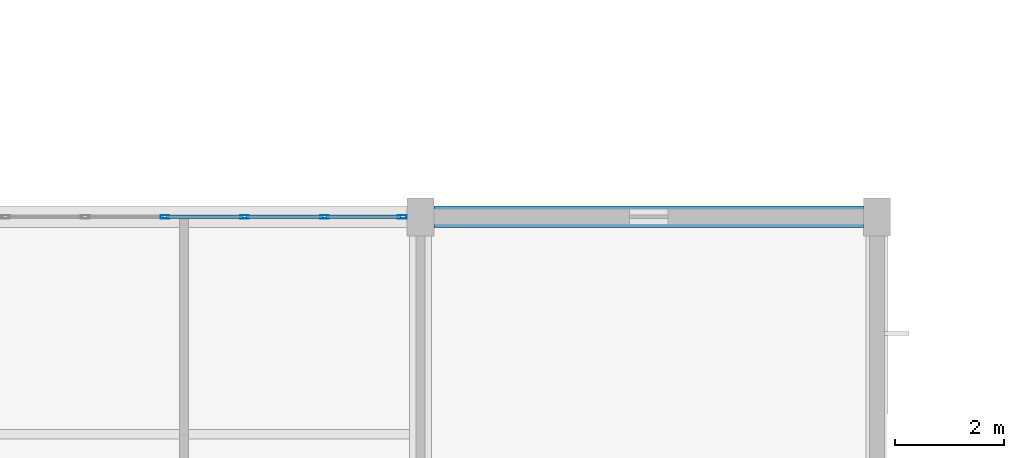
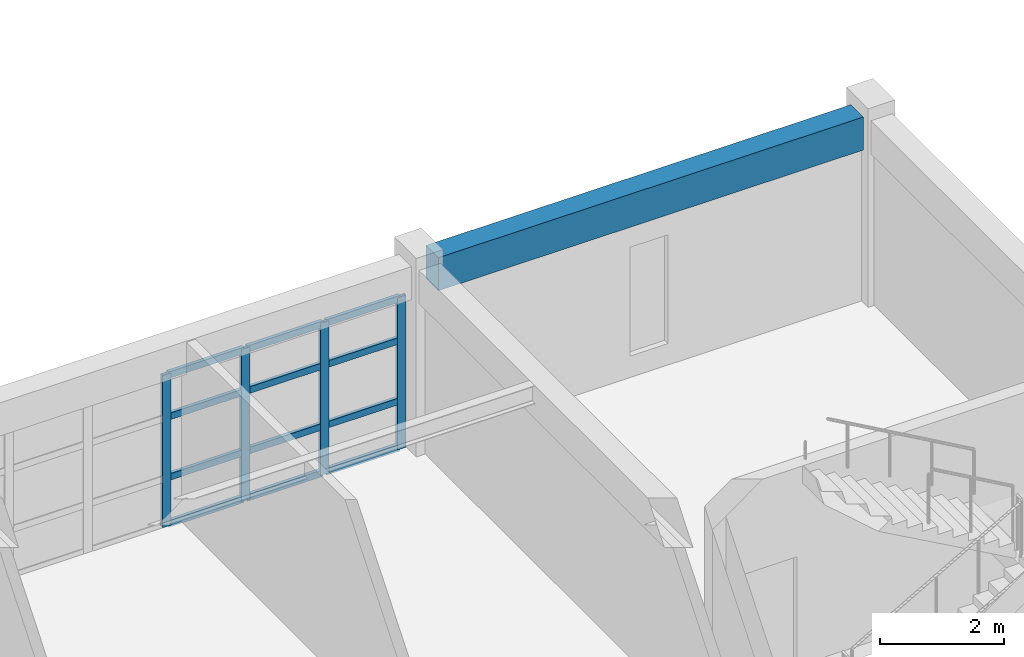
# One storey, part 36 of 150: 16 members, 1 beam, 1 element without a shape of its own.
"""IFC4 building model written with IfcOpenShell, lengths in metres."""

import ifcopenshell
import ifcopenshell.guid

model = None  # the IFC model being written
_history = None  # IfcOwnerHistory: only IFC2X3 demands one
_inside = {}  # id of a spatial element -> (the spatial element, [elements in it])
_under = {}  # id of a project, library or spatial element -> (it, [spatial elements below it])
_declared = {}  # id of a project -> (the project, [libraries it declares])
_typed = {}  # id of a type object -> (the type object, [elements of that type])
_made_of = {}  # id of a material, layer set ... -> (it, [elements and type objects made of it])


def new_model(schema):
    """Start an empty IFC model of exactly this schema.

    Asked for "IFC4X3", IfcOpenShell would pick the latest addendum, in which some entities
    have other attributes; the version numbers below select the first issue.
    IFC2X3 requires an IfcOwnerHistory on every rooted entity: one is made here for all.
    """
    global model, _history
    if schema == "IFC4X3":
        model = ifcopenshell.file(schema_version=(4, 3, 0, 0))
    else:
        model = ifcopenshell.file(schema=schema)
    _inside.clear()
    _under.clear()
    _declared.clear()
    _typed.clear()
    _made_of.clear()
    _history = None
    if model.schema == "IFC2X3":
        org = make("IfcOrganization", Name="unknown")
        user = make(
            "IfcPersonAndOrganization",
            ThePerson=make("IfcPerson", FamilyName="unknown"),
            TheOrganization=org,
        )
        app = make(
            "IfcApplication",
            ApplicationDeveloper=org,
            Version="unknown",
            ApplicationFullName="unknown",
            ApplicationIdentifier="unknown",
        )
        _history = make(
            "IfcOwnerHistory",
            OwningUser=user,
            OwningApplication=app,
            ChangeAction="ADDED",
            CreationDate=0,
        )
    return model


def make(cls, **values):
    """One entity of the class cls with the attributes given. An attribute that is None is left unset."""
    return model.create_entity(
        cls, **{name: value for name, value in values.items() if value is not None}
    )


def rooted(cls, **values):
    """An entity with a GlobalId (a new one), such as an element, a storey or a relation."""
    return make(cls, GlobalId=ifcopenshell.guid.new(), OwnerHistory=_history, **values)


def si_unit(unit_type, name, prefix=None):
    """IfcSIUnit, for example si_unit("LENGTHUNIT", "METRE", prefix="MILLI")."""
    return make("IfcSIUnit", UnitType=unit_type, Prefix=prefix, Name=name)


def assignment(units):
    """IfcUnitAssignment: the units of a project."""
    return None if units is None else make("IfcUnitAssignment", Units=units)


def point(xyz):
    """IfcCartesianPoint."""
    return None if xyz is None else make("IfcCartesianPoint", Coordinates=xyz)


def direction(xyz):
    """IfcDirection."""
    return None if xyz is None else make("IfcDirection", DirectionRatios=xyz)


def frame(location, z_axis=None, x_axis=None):
    """IfcAxis2Placement3D, a coordinate frame: its origin and axes. An axis left out is left unset."""
    return make(
        "IfcAxis2Placement3D",
        Location=point(location),
        Axis=direction(z_axis),
        RefDirection=direction(x_axis),
    )


def frame_2d(location, x_axis=None):
    """IfcAxis2Placement2D, a coordinate frame in the plane: its origin and x axis."""
    return make(
        "IfcAxis2Placement2D", Location=point(location), RefDirection=direction(x_axis)
    )


def origin():
    """The frame at (0, 0, 0) with its axes left unset."""
    return frame((0.0, 0.0, 0.0))


def origin_2d():
    """The frame at (0, 0) in the plane with its x axis left unset."""
    return frame_2d((0.0, 0.0))


def place(relative_to, where):
    """IfcLocalPlacement: puts the frame where relative to a parent placement (None: the world)."""
    return make(
        "IfcLocalPlacement", PlacementRelTo=relative_to, RelativePlacement=where
    )


def context(
    kind, dimensions, precision=None, world=None, true_north=None, identifier=None
):
    """IfcGeometricRepresentationContext, for example the 3D "Model" context."""
    return make(
        "IfcGeometricRepresentationContext",
        ContextIdentifier=identifier,
        ContextType=kind,
        CoordinateSpaceDimension=dimensions,
        Precision=precision,
        WorldCoordinateSystem=world,
        TrueNorth=true_north,
    )


def subcontext(parent, identifier, kind, view, scale=None):
    """IfcGeometricRepresentationSubContext, for example "Body" below "Model"."""
    return make(
        "IfcGeometricRepresentationSubContext",
        ContextIdentifier=identifier,
        ContextType=kind,
        ParentContext=parent,
        TargetScale=scale,
        TargetView=view,
    )


def project(units=None, contexts=None):
    """IfcProject with its units and contexts."""
    return rooted(
        "IfcProject",
        Name="project",
        RepresentationContexts=contexts,
        UnitsInContext=assignment(units),
    )


def spatial(cls, under=None, at=None, **own):
    """A site, building, storey or space (cls), placed at a placement, below another one or the project."""
    s = rooted(cls, ObjectPlacement=at, **own)
    if under is not None:
        _under.setdefault(under.id(), (under, []))[1].append(s)
    return s


def profile(cls, at=None, kind="AREA", **sizes):
    """A parametric profile (cls). Its sizes go by their IFC names, for example OverallWidth=200.0."""
    return make(cls, ProfileType=kind, Position=at, **sizes)


def rectangle(**sizes):
    """IfcRectangleProfileDef."""
    return profile("IfcRectangleProfileDef", **sizes)


def hollow_rectangle(**sizes):
    """IfcRectangleHollowProfileDef."""
    return profile("IfcRectangleHollowProfileDef", **sizes)


def extrude(swept, where, along, depth):
    """IfcExtrudedAreaSolid: the profile swept, set in the frame where, extruded along a direction by depth."""
    return make(
        "IfcExtrudedAreaSolid",
        SweptArea=swept,
        Position=where,
        ExtrudedDirection=direction(along),
        Depth=depth,
    )


def shape(context_of_items, identifier, shape_type, items):
    """IfcShapeRepresentation: the items that make up one representation, for example the "Body"."""
    return make(
        "IfcShapeRepresentation",
        ContextOfItems=context_of_items,
        RepresentationIdentifier=identifier,
        RepresentationType=shape_type,
        Items=items,
    )


def material(Name=None, Category=None):
    """IfcMaterial."""
    return make("IfcMaterial", Name=Name, Category=Category)


def material_profile(
    of_material, cross_section, Name=None, Category=None, Priority=None
):
    """IfcMaterialProfile: a cross section and its material."""
    return make(
        "IfcMaterialProfile",
        Name=Name,
        Material=of_material,
        Profile=cross_section,
        Priority=Priority,
        Category=Category,
    )


def profile_set(profiles, Name=None, composite=None):
    """IfcMaterialProfileSet."""
    return make(
        "IfcMaterialProfileSet",
        Name=Name,
        MaterialProfiles=profiles,
        CompositeProfile=composite,
    )


def made_of(thing, what):
    """Note that an element or type object is made of a material, layer set ...; save() writes the relation."""
    if what is not None:
        _made_of.setdefault(what.id(), (what, []))[1].append(thing)
    return thing


def type_object(cls, material=None, **own):
    """A type object (cls), such as IfcWallType, which elements share."""
    return made_of(rooted(cls, **own), material)


def element(
    cls,
    number,
    at=None,
    inside=None,
    cuts=None,
    type_object=None,
    material=None,
    context=None,
    identifier="Body",
    shape_type=None,
    held_by="IfcProductDefinitionShape",
    body=None,
    shapes=None,
    **own,
):
    """One element of the class cls, such as IfcWall. Its Tag is "e" and its number.

    at: its placement. inside: the storey or other place that contains it. cuts: it is an
    opening in that element (IfcRelVoidsElement). A single representation is given by context,
    identifier, shape_type and body (its items); several are given by shapes. held_by: the class
    of the entity that holds the representations. save() writes the other relations.
    """
    e = rooted(cls, Tag="e%d" % number, ObjectPlacement=at, **own)
    if body is not None:
        shapes = [shape(context, identifier, shape_type, body)]
    if shapes is not None:
        e.Representation = make(held_by, Representations=shapes)
    if inside is not None:
        _inside.setdefault(inside.id(), (inside, []))[1].append(e)
    if cuts is not None:
        rooted(
            "IfcRelVoidsElement", RelatingBuildingElement=cuts, RelatedOpeningElement=e
        )
    if type_object is not None:
        _typed.setdefault(type_object.id(), (type_object, []))[1].append(e)
    return made_of(e, material)


def aggregate(whole, parts):
    """IfcRelAggregates: a whole, such as a stair, and the parts it consists of."""
    return rooted("IfcRelAggregates", RelatingObject=whole, RelatedObjects=parts)


def save(model, path):
    """Write the relations noted so far, then the file.

    IfcRelAggregates (storeys below a building ...), IfcRelContainedInSpatialStructure (elements
    in a storey), IfcRelDefinesByType, IfcRelAssociatesMaterial and IfcRelDeclares: one each for
    every whole, place, type object, material and project.
    """
    for whole, parts in _under.values():
        aggregate(whole, parts)
    for where, things in _inside.values():
        rooted(
            "IfcRelContainedInSpatialStructure",
            RelatedElements=things,
            RelatingStructure=where,
        )
    for kind, things in _typed.values():
        rooted("IfcRelDefinesByType", RelatedObjects=things, RelatingType=kind)
    for what, things in _made_of.values():
        rooted("IfcRelAssociatesMaterial", RelatedObjects=things, RelatingMaterial=what)
    for by, libraries in _declared.values():
        rooted("IfcRelDeclares", RelatingContext=by, RelatedDefinitions=libraries)
    model.write(path)


model = new_model("IFC4")

# Units and contexts
model_context = context("Model", 3, precision=1e-05, world=origin(), true_north=direction((0.0, 1.0)))
body_context = subcontext(model_context, "Body", "Model", "MODEL_VIEW")
ifc_project = project(units=[si_unit("LENGTHUNIT", "METRE"), si_unit("AREAUNIT", "SQUARE_METRE"), si_unit("VOLUMEUNIT", "CUBIC_METRE"), si_unit("PLANEANGLEUNIT", "RADIAN"), si_unit("MASSUNIT", "GRAM", prefix="KILO")], contexts=[model_context])

# Site, building, storey
site_placement = place(None, origin())
site = spatial("IfcSite", under=ifc_project, at=site_placement, CompositionType="ELEMENT")
building_placement = place(site_placement, origin())
building = spatial("IfcBuilding", under=site, at=building_placement, Name="Kestramere Prow Commons", CompositionType="ELEMENT")
storey_placement = place(building_placement, frame((0.0, 0.0, 4.5)))
storey = spatial("IfcBuildingStorey", under=building, at=storey_placement, Name="L01", CompositionType="ELEMENT", Elevation=4.5)

# Beam
ifc_material_1 = material(Name="Precast concrete C40/50", Category="concrete")
ifc_material_profile_1 = material_profile(ifc_material_1, rectangle(XDim=0.39990234375, YDim=0.64990234375, at=origin_2d()), Name="PC-BM 400x650")
ifc_profile_set_1 = profile_set([ifc_material_profile_1], Name="Precast concrete C40/50")
beam_type = type_object("IfcBeamType", Name="BM-MK-01 PC-BM 400x650 (EX)", PredefinedType="BEAM", material=ifc_profile_set_1)
beam_placement = place(storey_placement, frame((103.85009765625, 24.0, 3.324951171875), z_axis=(1.0, 0.0, 0.0), x_axis=(0.0, 1.0, 0.0)))
element("IfcBeam", 1, at=beam_placement, inside=storey, type_object=beam_type, Name="Market Spine L01 Beam X 3-6", PredefinedType="BEAM", context=body_context, shape_type="SweptSolid", body=[
    extrude(rectangle(XDim=0.39990234375, YDim=0.64990234375, at=origin_2d()), origin(), (0.0, 0.0, 1.0), 7.89990234375),
])

# Curtain wall, members
ifc_material_2 = material(Name="Anodised Aluminium and Low-E Glass", Category="aluminium")
curtain_wall_type = type_object("IfcCurtainWallType", Name="CW-26 Glazed Curtain Wall 8800x2990", PredefinedType="USERDEFINED", material=ifc_material_2)
curtain_wall_placement = place(storey_placement, origin())
curtain_wall = element("IfcCurtainWall", 2, at=curtain_wall_placement, inside=storey, type_object=curtain_wall_type, Name="Market L01 Courtyard Shopfront 5", ObjectType="GLAZED CURTAIN WALL", PredefinedType="USERDEFINED")
ifc_material_3 = material(Name="Anodised Aluminium 6063-T6", Category="aluminium")
ifc_material_profile_2 = material_profile(ifc_material_3, hollow_rectangle(XDim=0.06494140625, YDim=0.159912109375, WallThickness=0.00390625, at=origin_2d()), Name="ALU-MUL 65x160")
ifc_profile_set_2 = profile_set([ifc_material_profile_2], Name="Anodised Aluminium 6063-T6")
member_type_1 = type_object("IfcMemberType", Name="CW-MUL-65x160", PredefinedType="MULLION", material=ifc_profile_set_2)
member_1_placement = place(storey_placement, frame((98.89990234375, 24.0, 0.0), z_axis=(0.0, 0.0, 1.0), x_axis=(0.0, 1.0, 0.0)))
member_1 = element("IfcMember", 3, at=member_1_placement, type_object=member_type_1, Name="CW-26 mullion 4", PredefinedType="MULLION", context=body_context, shape_type="SweptSolid", body=[
    extrude(hollow_rectangle(XDim=0.06494140625, YDim=0.159912109375, WallThickness=0.00390625, at=origin_2d()), origin(), (0.0, 0.0, 1.0), 2.989990234375),
])
member_2_placement = place(storey_placement, frame((100.36669921875, 24.0, 0.0), z_axis=(0.0, 0.0, 1.0), x_axis=(0.0, 1.0, 0.0)))
member_2 = element("IfcMember", 4, at=member_2_placement, type_object=member_type_1, Name="CW-26 mullion 5", PredefinedType="MULLION", context=body_context, shape_type="SweptSolid", body=[
    extrude(hollow_rectangle(XDim=0.06494140625, YDim=0.159912109375, WallThickness=0.00390625, at=origin_2d()), origin(), (0.0, 0.0, 1.0), 2.989990234375),
])
member_3_placement = place(storey_placement, frame((101.833251953125, 24.0, 0.0), z_axis=(0.0, 0.0, 1.0), x_axis=(0.0, 1.0, 0.0)))
member_3 = element("IfcMember", 5, at=member_3_placement, type_object=member_type_1, Name="CW-26 mullion 6", PredefinedType="MULLION", context=body_context, shape_type="SweptSolid", body=[
    extrude(hollow_rectangle(XDim=0.06494140625, YDim=0.159912109375, WallThickness=0.00390625, at=origin_2d()), origin(), (0.0, 0.0, 1.0), 2.989990234375),
])
member_4_placement = place(storey_placement, frame((103.267578125, 24.0, 0.0), z_axis=(0.0, 0.0, 1.0), x_axis=(0.0, 1.0, 0.0)))
member_4 = element("IfcMember", 6, at=member_4_placement, type_object=member_type_1, Name="CW-26 mullion 7", PredefinedType="MULLION", context=body_context, shape_type="SweptSolid", body=[
    extrude(hollow_rectangle(XDim=0.06494140625, YDim=0.159912109375, WallThickness=0.00390625, at=origin_2d()), origin(), (0.0, 0.0, 1.0), 2.989990234375),
])
ifc_material_profile_3 = material_profile(ifc_material_3, hollow_rectangle(XDim=0.06494140625, YDim=0.1298828125, WallThickness=0.00390625, at=origin_2d()), Name="ALU-TRN 65x130")
ifc_profile_set_3 = profile_set([ifc_material_profile_3], Name="Anodised Aluminium 6063-T6")
member_type_2 = type_object("IfcMemberType", Name="CW-TRN-65x130", PredefinedType="USERDEFINED", material=ifc_profile_set_3)
member_5_placement = place(storey_placement, frame((98.9326171875, 24.0, 0.032470703125), z_axis=(1.0, 0.0, 0.0), x_axis=(0.0, 1.0, 0.0)))
member_5 = element("IfcMember", 7, at=member_5_placement, type_object=member_type_2, Name="CW-26 transom 4.1", ObjectType="TRANSOM", PredefinedType="USERDEFINED", context=body_context, shape_type="SweptSolid", body=[
    extrude(hollow_rectangle(XDim=0.06494140625, YDim=0.1298828125, WallThickness=0.00390625, at=origin_2d()), origin(), (0.0, 0.0, 1.0), 1.401611328125),
])
member_6_placement = place(storey_placement, frame((98.9326171875, 24.0, 0.949951171875), z_axis=(1.0, 0.0, 0.0), x_axis=(0.0, 1.0, 0.0)))
member_6 = element("IfcMember", 8, at=member_6_placement, type_object=member_type_2, Name="CW-26 transom 4.2", ObjectType="TRANSOM", PredefinedType="USERDEFINED", context=body_context, shape_type="SweptSolid", body=[
    extrude(hollow_rectangle(XDim=0.06494140625, YDim=0.1298828125, WallThickness=0.00390625, at=origin_2d()), origin(), (0.0, 0.0, 1.0), 1.401611328125),
])
member_7_placement = place(storey_placement, frame((98.9326171875, 24.0, 2.139892578125), z_axis=(1.0, 0.0, 0.0), x_axis=(0.0, 1.0, 0.0)))
member_7 = element("IfcMember", 9, at=member_7_placement, type_object=member_type_2, Name="CW-26 transom 4.3", ObjectType="TRANSOM", PredefinedType="USERDEFINED", context=body_context, shape_type="SweptSolid", body=[
    extrude(hollow_rectangle(XDim=0.06494140625, YDim=0.1298828125, WallThickness=0.00390625, at=origin_2d()), origin(), (0.0, 0.0, 1.0), 1.401611328125),
])
member_8_placement = place(storey_placement, frame((98.9326171875, 24.0, 2.95751953125), z_axis=(1.0, 0.0, 0.0), x_axis=(0.0, 1.0, 0.0)))
member_8 = element("IfcMember", 10, at=member_8_placement, type_object=member_type_2, Name="CW-26 transom 4.4", ObjectType="TRANSOM", PredefinedType="USERDEFINED", context=body_context, shape_type="SweptSolid", body=[
    extrude(hollow_rectangle(XDim=0.06494140625, YDim=0.1298828125, WallThickness=0.00390625, at=origin_2d()), origin(), (0.0, 0.0, 1.0), 1.401611328125),
])
member_9_placement = place(storey_placement, frame((100.399169921875, 24.0, 0.032470703125), z_axis=(1.0, 0.0, 0.0), x_axis=(0.0, 1.0, 0.0)))
member_9 = element("IfcMember", 11, at=member_9_placement, type_object=member_type_2, Name="CW-26 transom 5.1", ObjectType="TRANSOM", PredefinedType="USERDEFINED", context=body_context, shape_type="SweptSolid", body=[
    extrude(hollow_rectangle(XDim=0.06494140625, YDim=0.1298828125, WallThickness=0.00390625, at=origin_2d()), origin(), (0.0, 0.0, 1.0), 1.401611328125),
])
member_10_placement = place(storey_placement, frame((100.399169921875, 24.0, 0.949951171875), z_axis=(1.0, 0.0, 0.0), x_axis=(0.0, 1.0, 0.0)))
member_10 = element("IfcMember", 12, at=member_10_placement, type_object=member_type_2, Name="CW-26 transom 5.2", ObjectType="TRANSOM", PredefinedType="USERDEFINED", context=body_context, shape_type="SweptSolid", body=[
    extrude(hollow_rectangle(XDim=0.06494140625, YDim=0.1298828125, WallThickness=0.00390625, at=origin_2d()), origin(), (0.0, 0.0, 1.0), 1.401611328125),
])
member_11_placement = place(storey_placement, frame((100.399169921875, 24.0, 2.139892578125), z_axis=(1.0, 0.0, 0.0), x_axis=(0.0, 1.0, 0.0)))
member_11 = element("IfcMember", 13, at=member_11_placement, type_object=member_type_2, Name="CW-26 transom 5.3", ObjectType="TRANSOM", PredefinedType="USERDEFINED", context=body_context, shape_type="SweptSolid", body=[
    extrude(hollow_rectangle(XDim=0.06494140625, YDim=0.1298828125, WallThickness=0.00390625, at=origin_2d()), origin(), (0.0, 0.0, 1.0), 1.401611328125),
])
member_12_placement = place(storey_placement, frame((100.399169921875, 24.0, 2.95751953125), z_axis=(1.0, 0.0, 0.0), x_axis=(0.0, 1.0, 0.0)))
member_12 = element("IfcMember", 14, at=member_12_placement, type_object=member_type_2, Name="CW-26 transom 5.4", ObjectType="TRANSOM", PredefinedType="USERDEFINED", context=body_context, shape_type="SweptSolid", body=[
    extrude(hollow_rectangle(XDim=0.06494140625, YDim=0.1298828125, WallThickness=0.00390625, at=origin_2d()), origin(), (0.0, 0.0, 1.0), 1.401611328125),
])
member_13_placement = place(storey_placement, frame((101.86572265625, 24.0, 0.032470703125), z_axis=(1.0, 0.0, 0.0), x_axis=(0.0, 1.0, 0.0)))
member_13 = element("IfcMember", 15, at=member_13_placement, type_object=member_type_2, Name="CW-26 transom 6.1", ObjectType="TRANSOM", PredefinedType="USERDEFINED", context=body_context, shape_type="SweptSolid", body=[
    extrude(hollow_rectangle(XDim=0.06494140625, YDim=0.1298828125, WallThickness=0.00390625, at=origin_2d()), origin(), (0.0, 0.0, 1.0), 1.369384765625),
])
member_14_placement = place(storey_placement, frame((101.86572265625, 24.0, 0.949951171875), z_axis=(1.0, 0.0, 0.0), x_axis=(0.0, 1.0, 0.0)))
member_14 = element("IfcMember", 16, at=member_14_placement, type_object=member_type_2, Name="CW-26 transom 6.2", ObjectType="TRANSOM", PredefinedType="USERDEFINED", context=body_context, shape_type="SweptSolid", body=[
    extrude(hollow_rectangle(XDim=0.06494140625, YDim=0.1298828125, WallThickness=0.00390625, at=origin_2d()), origin(), (0.0, 0.0, 1.0), 1.369384765625),
])
member_15_placement = place(storey_placement, frame((101.86572265625, 24.0, 2.139892578125), z_axis=(1.0, 0.0, 0.0), x_axis=(0.0, 1.0, 0.0)))
member_15 = element("IfcMember", 17, at=member_15_placement, type_object=member_type_2, Name="CW-26 transom 6.3", ObjectType="TRANSOM", PredefinedType="USERDEFINED", context=body_context, shape_type="SweptSolid", body=[
    extrude(hollow_rectangle(XDim=0.06494140625, YDim=0.1298828125, WallThickness=0.00390625, at=origin_2d()), origin(), (0.0, 0.0, 1.0), 1.369384765625),
])
member_16_placement = place(storey_placement, frame((101.86572265625, 24.0, 2.95751953125), z_axis=(1.0, 0.0, 0.0), x_axis=(0.0, 1.0, 0.0)))
member_16 = element("IfcMember", 18, at=member_16_placement, type_object=member_type_2, Name="CW-26 transom 6.4", ObjectType="TRANSOM", PredefinedType="USERDEFINED", context=body_context, shape_type="SweptSolid", body=[
    extrude(hollow_rectangle(XDim=0.06494140625, YDim=0.1298828125, WallThickness=0.00390625, at=origin_2d()), origin(), (0.0, 0.0, 1.0), 1.369384765625),
])
aggregate(curtain_wall, [member_1, member_2, member_3, member_4, member_5, member_6, member_7, member_8, member_9, member_10, member_11, member_12, member_13, member_14, member_15, member_16])

save(model, "model.ifc")
